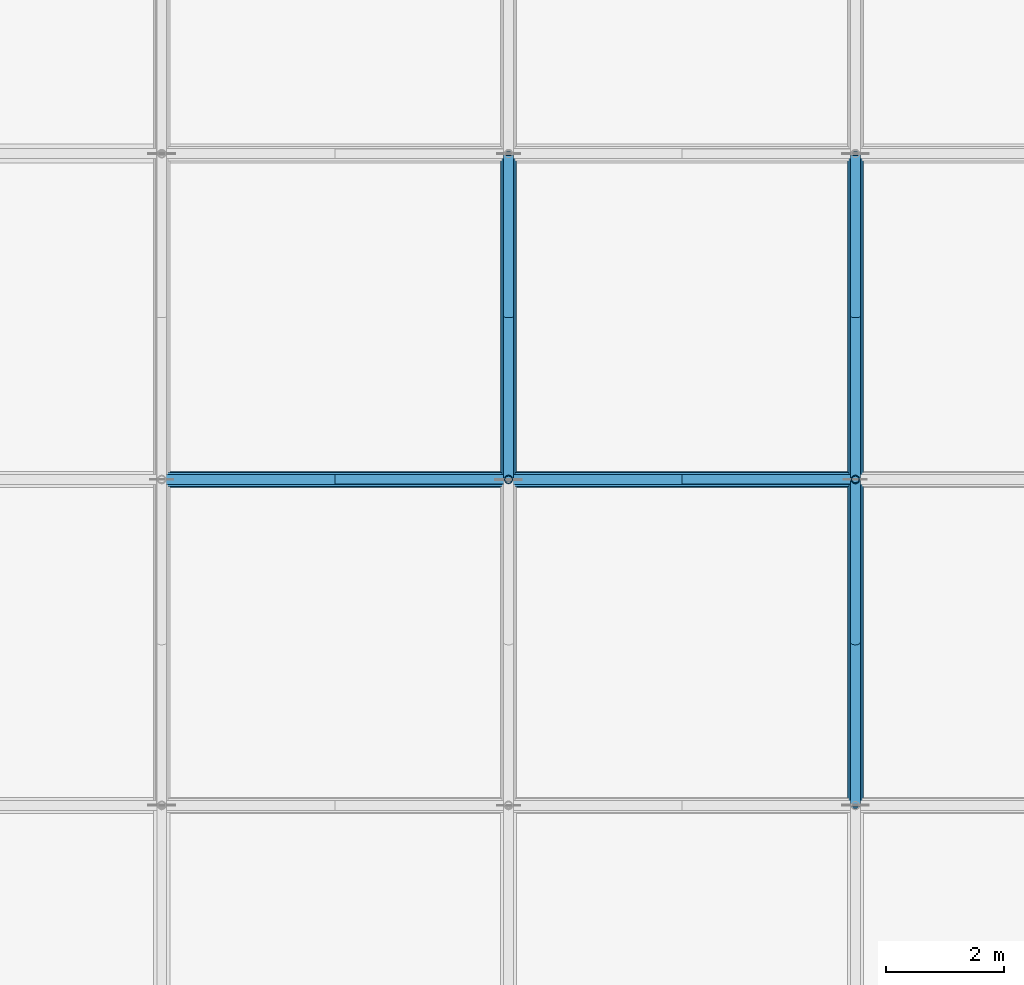
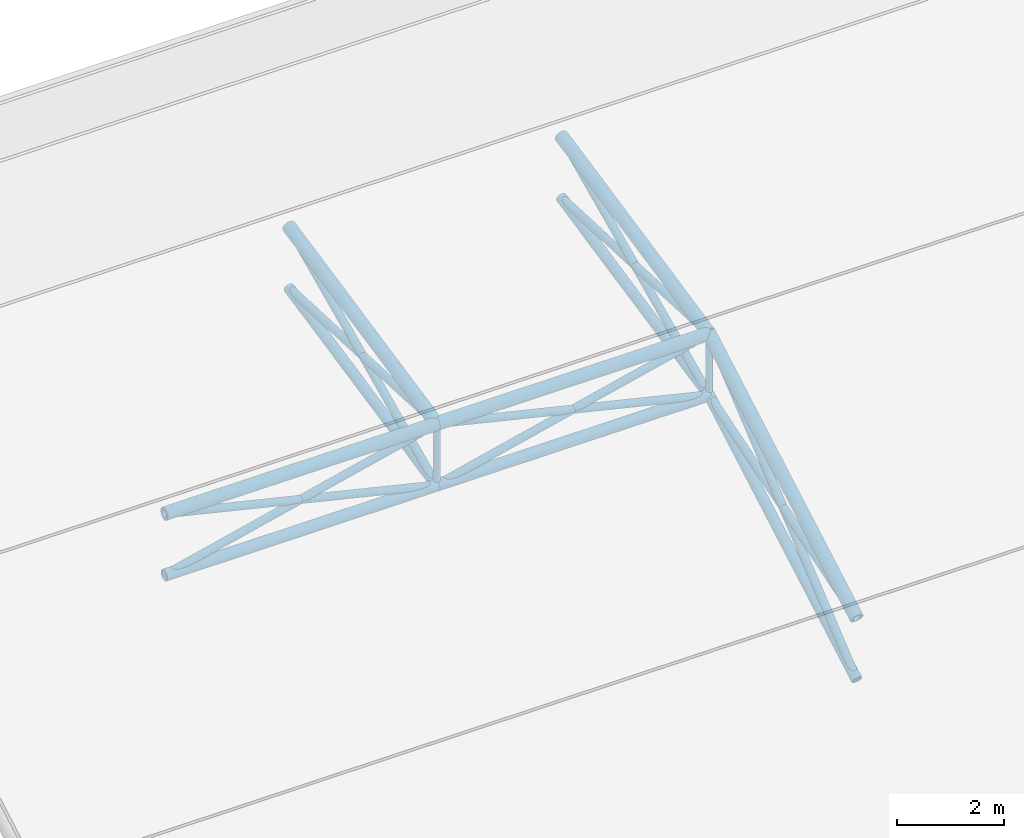
# One storey, part 3 of 82: 22 members.
"""IFC4 building model written with IfcOpenShell, lengths in metres."""

from ifc_helpers import new_model, si_unit, direction, frame, origin, origin_2d, place, context, subcontext, project, spatial, hollow_circle, extrude, material, material_profile, profile_set, type_object, element, save


model = new_model("IFC4")

# Units and contexts
model_context = context("Model", 3, precision=1e-05, world=origin(), true_north=direction((0.0, 1.0)))
body_context = subcontext(model_context, "Body", "Model", "MODEL_VIEW")
ifc_project = project(units=[si_unit("LENGTHUNIT", "METRE"), si_unit("AREAUNIT", "SQUARE_METRE"), si_unit("VOLUMEUNIT", "CUBIC_METRE"), si_unit("PLANEANGLEUNIT", "RADIAN"), si_unit("MASSUNIT", "GRAM", prefix="KILO")], contexts=[model_context])

# Site, building, storey
site_placement = place(None, origin())
site = spatial("IfcSite", under=ifc_project, at=site_placement, CompositionType="ELEMENT")
building_placement = place(site_placement, origin())
building = spatial("IfcBuilding", under=site, at=building_placement, Name="Bramfleet General Hospital", CompositionType="ELEMENT")
storey_placement = place(building_placement, frame((0.0, 0.0, 34.199951171875)))
storey = spatial("IfcBuildingStorey", under=building, at=storey_placement, Name="Roof", CompositionType="ELEMENT", Elevation=34.199951171875)

# Members
ifc_material = material(Name="Steel S355", Category="steel")
ifc_material_profile_1 = material_profile(ifc_material, hollow_circle(Radius=0.122314453125, WallThickness=0.012451171875, at=origin_2d()), Name="CHS 244.5x12.5")
ifc_profile_set_1 = profile_set([ifc_material_profile_1], Name="Steel S355")
member_type_1 = type_object("IfcMemberType", Name="MEM-SF-BC1", PredefinedType="CHORD", material=ifc_profile_set_1)
member_1_placement = place(storey_placement, frame((56.721435546875, 28.283447265625, -13.402099609375), z_axis=(1.0, 0.0, 0.0), x_axis=(0.0, 1.0, 0.0)))
element("IfcMember", 1, at=member_1_placement, inside=storey, type_object=member_type_1, Name="Space Frame Bottom Chord X 1-2", PredefinedType="CHORD", context=body_context, shape_type="SweptSolid", body=[
    extrude(hollow_circle(Radius=0.122314453125, WallThickness=0.012451171875, at=origin_2d()), origin(), (0.0, 0.0, 1.0), 5.871337890625),
])
member_2_placement = place(storey_placement, frame((62.5927734375, 28.283447265625, -13.402099609375), z_axis=(1.0, 0.0, 0.0), x_axis=(0.0, 1.0, 0.0)))
element("IfcMember", 2, at=member_2_placement, inside=storey, type_object=member_type_1, Name="Space Frame Bottom Chord X 2-2", PredefinedType="CHORD", context=body_context, shape_type="SweptSolid", body=[
    extrude(hollow_circle(Radius=0.122314453125, WallThickness=0.012451171875, at=origin_2d()), origin(), (0.0, 0.0, 1.0), 5.87158203125),
])
ifc_material_profile_2 = material_profile(ifc_material, hollow_circle(Radius=0.109619140625, WallThickness=0.010009765625, at=origin_2d()), Name="CHS 219.1x10.0")
ifc_profile_set_2 = profile_set([ifc_material_profile_2], Name="Steel S355")
member_type_2 = type_object("IfcMemberType", Name="MEM-SF-BC2", PredefinedType="CHORD", material=ifc_profile_set_2)
member_3_placement = place(storey_placement, frame((62.5927734375, 28.283447265625, -13.402099609375), z_axis=(0.0, 0.978880830839, 0.204431697678), x_axis=(-1.0, 0.0, 0.0)))
element("IfcMember", 3, at=member_3_placement, inside=storey, type_object=member_type_2, Name="Space Frame Bottom Chord Y 2-2", PredefinedType="CHORD", context=body_context, shape_type="SweptSolid", body=[
    extrude(hollow_circle(Radius=0.109619140625, WallThickness=0.010009765625, at=origin_2d()), origin(), (0.0, 0.0, 1.0), 5.6357421875),
])
member_4_placement = place(storey_placement, frame((68.46435546875, 22.7666015625, -16.550048828125), z_axis=(0.0, 0.868550467682, 0.495600731526), x_axis=(-1.0, 0.0, 0.0)))
element("IfcMember", 4, at=member_4_placement, inside=storey, type_object=member_type_2, Name="Space Frame Bottom Chord Y 3-1", PredefinedType="CHORD", context=body_context, shape_type="SweptSolid", body=[
    extrude(hollow_circle(Radius=0.109619140625, WallThickness=0.010009765625, at=origin_2d()), origin(), (0.0, 0.0, 1.0), 6.351806640625),
])
member_5_placement = place(storey_placement, frame((68.46435546875, 28.283447265625, -13.402099609375), z_axis=(0.0, 0.978880830839, 0.204431697678), x_axis=(-1.0, 0.0, 0.0)))
element("IfcMember", 5, at=member_5_placement, inside=storey, type_object=member_type_2, Name="Space Frame Bottom Chord Y 3-2", PredefinedType="CHORD", context=body_context, shape_type="SweptSolid", body=[
    extrude(hollow_circle(Radius=0.109619140625, WallThickness=0.010009765625, at=origin_2d()), origin(), (0.0, 0.0, 1.0), 5.6357421875),
])
ifc_material_profile_3 = material_profile(ifc_material, hollow_circle(Radius=0.084228515625, WallThickness=0.008056640625, at=origin_2d()), Name="CHS 168.3x8.0")
ifc_profile_set_3 = profile_set([ifc_material_profile_3], Name="Steel S355")
member_type_3 = type_object("IfcMemberType", Name="MEM-SF-DG1", PredefinedType="STRUT", material=ifc_profile_set_3)
for number, where, z_axis, x_axis, name in (
    (6, (56.721435546875, 28.283447265625, -13.402099609375), (0.972732821449, 0.0, 0.231928562443), (0.0, 1.0, 0.0), "Space Frame Web Strut 1-2-E"),
    (7, (62.5927734375, 28.283447265625, -13.402099609375), (-0.972732821449, 0.0, 0.231928562443), (0.0, -1.0, 0.0), "Space Frame Web Strut 2-2-W"),
):
    element("IfcMember", number, at=place(storey_placement, frame(where, z_axis=z_axis, x_axis=x_axis)), inside=storey, type_object=member_type_3, Name=name, PredefinedType="STRUT", context=body_context, shape_type="SweptSolid", body=[
        extrude(hollow_circle(Radius=0.084228515625, WallThickness=0.008056640625, at=origin_2d()), origin(), (0.0, 0.0, 1.0), 6.035888671875),
    ])
member_6_placement = place(storey_placement, frame((62.5927734375, 28.283447265625, -13.402099609375), z_axis=(0.97273499705, 0.0, 0.23191943755), x_axis=(0.0, 1.0, 0.0)))
element("IfcMember", 8, at=member_6_placement, inside=storey, type_object=member_type_3, Name="Space Frame Web Strut 2-2-E", PredefinedType="STRUT", context=body_context, shape_type="SweptSolid", body=[
    extrude(hollow_circle(Radius=0.084228515625, WallThickness=0.008056640625, at=origin_2d()), origin(), (0.0, 0.0, 1.0), 6.0361328125),
])
member_7_placement = place(storey_placement, frame((62.5927734375, 28.283447265625, -13.402099609375), z_axis=(0.0, 0.907575768803, 0.419888346923), x_axis=(-1.0, 0.0, 0.0)))
element("IfcMember", 9, at=member_7_placement, inside=storey, type_object=member_type_3, Name="Space Frame Web Strut 2-2-N", PredefinedType="STRUT", context=body_context, shape_type="SweptSolid", body=[
    extrude(hollow_circle(Radius=0.084228515625, WallThickness=0.008056640625, at=origin_2d()), origin(), (0.0, 0.0, 1.0), 6.078369140625),
])
member_8_placement = place(storey_placement, frame((62.5927734375, 33.800048828125, -12.25), z_axis=(0.0, -0.998992645483, 0.044874204955), x_axis=(1.0, 0.0, 0.0)))
element("IfcMember", 10, at=member_8_placement, inside=storey, type_object=member_type_3, Name="Space Frame Web Strut 2-3-S", PredefinedType="STRUT", context=body_context, shape_type="SweptSolid", body=[
    extrude(hollow_circle(Radius=0.084228515625, WallThickness=0.008056640625, at=origin_2d()), origin(), (0.0, 0.0, 1.0), 5.522216796875),
])
member_9_placement = place(storey_placement, frame((68.46435546875, 22.7666015625, -16.550048828125), z_axis=(0.0, 0.771616694689, 0.636087789913), x_axis=(-1.0, 0.0, 0.0)))
element("IfcMember", 11, at=member_9_placement, inside=storey, type_object=member_type_3, Name="Space Frame Web Strut 3-1-N", PredefinedType="STRUT", context=body_context, shape_type="SweptSolid", body=[
    extrude(hollow_circle(Radius=0.084228515625, WallThickness=0.008056640625, at=origin_2d()), origin(), (0.0, 0.0, 1.0), 7.149658203125),
])
member_10_placement = place(storey_placement, frame((68.46435546875, 28.283447265625, -13.402099609375), z_axis=(-0.97273499705, 0.0, 0.23191943755), x_axis=(0.0, -1.0, 0.0)))
element("IfcMember", 12, at=member_10_placement, inside=storey, type_object=member_type_3, Name="Space Frame Web Strut 3-2-W", PredefinedType="STRUT", context=body_context, shape_type="SweptSolid", body=[
    extrude(hollow_circle(Radius=0.084228515625, WallThickness=0.008056640625, at=origin_2d()), origin(), (0.0, 0.0, 1.0), 6.0361328125),
])
member_11_placement = place(storey_placement, frame((68.46435546875, 28.283447265625, -13.402099609375), z_axis=(0.0, -0.953302351755, -0.302017592433), x_axis=(1.0, 0.0, 0.0)))
element("IfcMember", 13, at=member_11_placement, inside=storey, type_object=member_type_3, Name="Space Frame Web Strut 3-2-S", PredefinedType="STRUT", context=body_context, shape_type="SweptSolid", body=[
    extrude(hollow_circle(Radius=0.084228515625, WallThickness=0.008056640625, at=origin_2d()), origin(), (0.0, 0.0, 1.0), 5.787109375),
])
member_12_placement = place(storey_placement, frame((68.46435546875, 28.283447265625, -13.402099609375), z_axis=(0.0, 0.907575768803, 0.419888346923), x_axis=(-1.0, 0.0, 0.0)))
element("IfcMember", 14, at=member_12_placement, inside=storey, type_object=member_type_3, Name="Space Frame Web Strut 3-2-N", PredefinedType="STRUT", context=body_context, shape_type="SweptSolid", body=[
    extrude(hollow_circle(Radius=0.084228515625, WallThickness=0.008056640625, at=origin_2d()), origin(), (0.0, 0.0, 1.0), 6.078369140625),
])
member_13_placement = place(storey_placement, frame((68.46435546875, 33.800048828125, -12.25), z_axis=(0.0, -0.998992645483, 0.044874204955), x_axis=(1.0, 0.0, 0.0)))
element("IfcMember", 15, at=member_13_placement, inside=storey, type_object=member_type_3, Name="Space Frame Web Strut 3-3-S", PredefinedType="STRUT", context=body_context, shape_type="SweptSolid", body=[
    extrude(hollow_circle(Radius=0.084228515625, WallThickness=0.008056640625, at=origin_2d()), origin(), (0.0, 0.0, 1.0), 5.522216796875),
])
ifc_material_profile_4 = material_profile(ifc_material, hollow_circle(Radius=0.06982421875, WallThickness=0.008056640625, at=origin_2d()), Name="CHS 139.7x8.0")
ifc_profile_set_4 = profile_set([ifc_material_profile_4], Name="Steel S355")
member_type_4 = type_object("IfcMemberType", Name="MEM-SF-DG2", PredefinedType="STRUT", material=ifc_profile_set_4)
for number, where, z_axis, x_axis, name in (
    (16, (62.5927734375, 28.283447265625, -13.402099609375), (0.0, 0.0, 1.0), (1.0, 0.0, 0.0), "Space Frame King Strut 2-2"),
    (17, (68.46435546875, 28.283447265625, -13.402099609375), (0.0, 0.0, 1.0), (1.0, 0.0, 0.0), "Space Frame King Strut 3-2"),
):
    element("IfcMember", number, at=place(storey_placement, frame(where, z_axis=z_axis, x_axis=x_axis)), inside=storey, type_object=member_type_4, Name=name, PredefinedType="STRUT", context=body_context, shape_type="SweptSolid", body=[
        extrude(hollow_circle(Radius=0.06982421875, WallThickness=0.008056640625, at=origin_2d()), origin(), (0.0, 0.0, 1.0), 1.39990234375),
    ])
ifc_material_profile_5 = material_profile(ifc_material, hollow_circle(Radius=0.136474609375, WallThickness=0.012451171875, at=origin_2d()), Name="CHS 273.0x12.5")
ifc_profile_set_5 = profile_set([ifc_material_profile_5], Name="Steel S355")
member_type_5 = type_object("IfcMemberType", Name="MEM-SF-TC2", PredefinedType="CHORD", material=ifc_profile_set_5)
member_14_placement = place(storey_placement, frame((56.721435546875, 28.283447265625, -12.002197265625), z_axis=(1.0, 0.0, 0.0), x_axis=(0.0, 1.0, 0.0)))
element("IfcMember", 18, at=member_14_placement, inside=storey, type_object=member_type_5, Name="Space Frame Top Chord X 1-2", PredefinedType="CHORD", context=body_context, shape_type="SweptSolid", body=[
    extrude(hollow_circle(Radius=0.136474609375, WallThickness=0.012451171875, at=origin_2d()), origin(), (0.0, 0.0, 1.0), 5.871337890625),
])
member_15_placement = place(storey_placement, frame((62.5927734375, 28.283447265625, -12.002197265625), z_axis=(1.0, 0.0, 0.0), x_axis=(0.0, 1.0, 0.0)))
element("IfcMember", 19, at=member_15_placement, inside=storey, type_object=member_type_5, Name="Space Frame Top Chord X 2-2", PredefinedType="CHORD", context=body_context, shape_type="SweptSolid", body=[
    extrude(hollow_circle(Radius=0.136474609375, WallThickness=0.012451171875, at=origin_2d()), origin(), (0.0, 0.0, 1.0), 5.87158203125),
])
member_16_placement = place(storey_placement, frame((62.5927734375, 28.283447265625, -12.002197265625), z_axis=(0.0, 0.97887216089, 0.204473207621), x_axis=(-1.0, 0.0, 0.0)))
element("IfcMember", 20, at=member_16_placement, inside=storey, type_object=member_type_5, Name="Space Frame Top Chord Y 2-2", PredefinedType="CHORD", context=body_context, shape_type="SweptSolid", body=[
    extrude(hollow_circle(Radius=0.136474609375, WallThickness=0.012451171875, at=origin_2d()), origin(), (0.0, 0.0, 1.0), 5.6357421875),
])
member_17_placement = place(storey_placement, frame((68.46435546875, 22.7666015625, -15.14990234375), z_axis=(0.0, 0.868567012685, 0.495571734945), x_axis=(-1.0, 0.0, 0.0)))
element("IfcMember", 21, at=member_17_placement, inside=storey, type_object=member_type_5, Name="Space Frame Top Chord Y 3-1", PredefinedType="CHORD", context=body_context, shape_type="SweptSolid", body=[
    extrude(hollow_circle(Radius=0.136474609375, WallThickness=0.012451171875, at=origin_2d()), origin(), (0.0, 0.0, 1.0), 6.3515625),
])
member_18_placement = place(storey_placement, frame((68.46435546875, 28.283447265625, -12.002197265625), z_axis=(0.0, 0.97887216089, 0.204473207621), x_axis=(-1.0, 0.0, 0.0)))
element("IfcMember", 22, at=member_18_placement, inside=storey, type_object=member_type_5, Name="Space Frame Top Chord Y 3-2", PredefinedType="CHORD", context=body_context, shape_type="SweptSolid", body=[
    extrude(hollow_circle(Radius=0.136474609375, WallThickness=0.012451171875, at=origin_2d()), origin(), (0.0, 0.0, 1.0), 5.6357421875),
])

save(model, "model.ifc")
